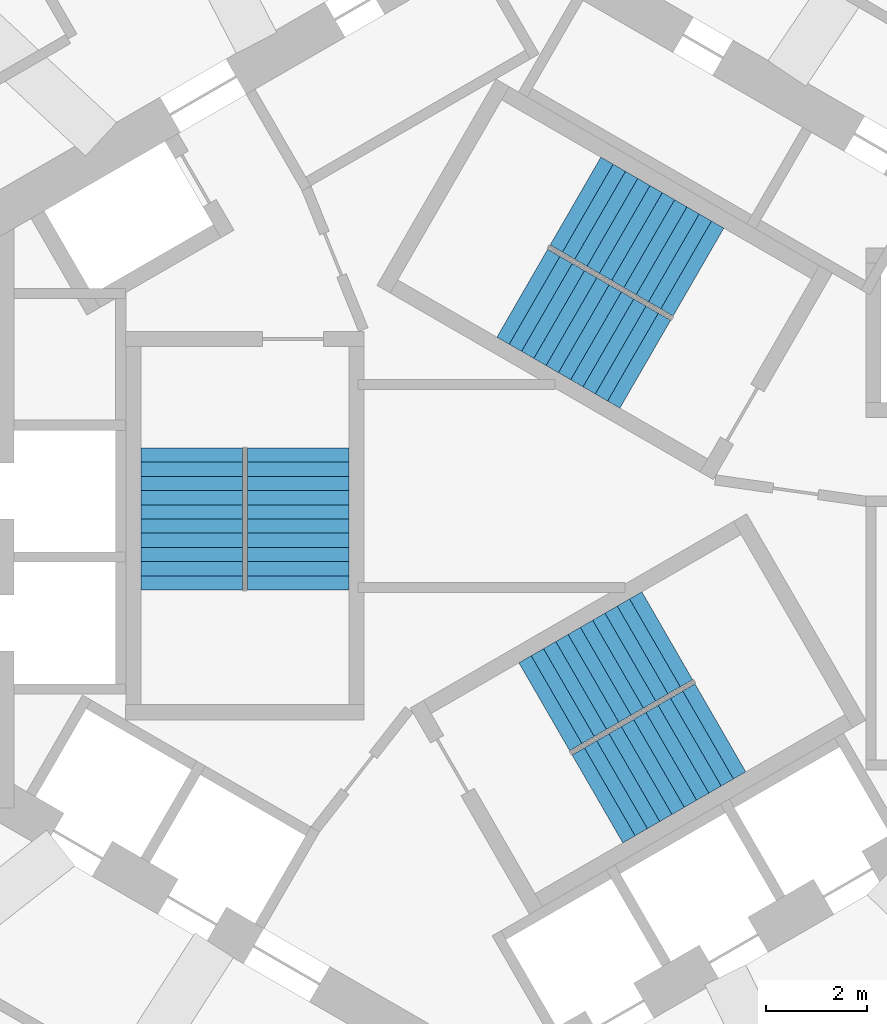
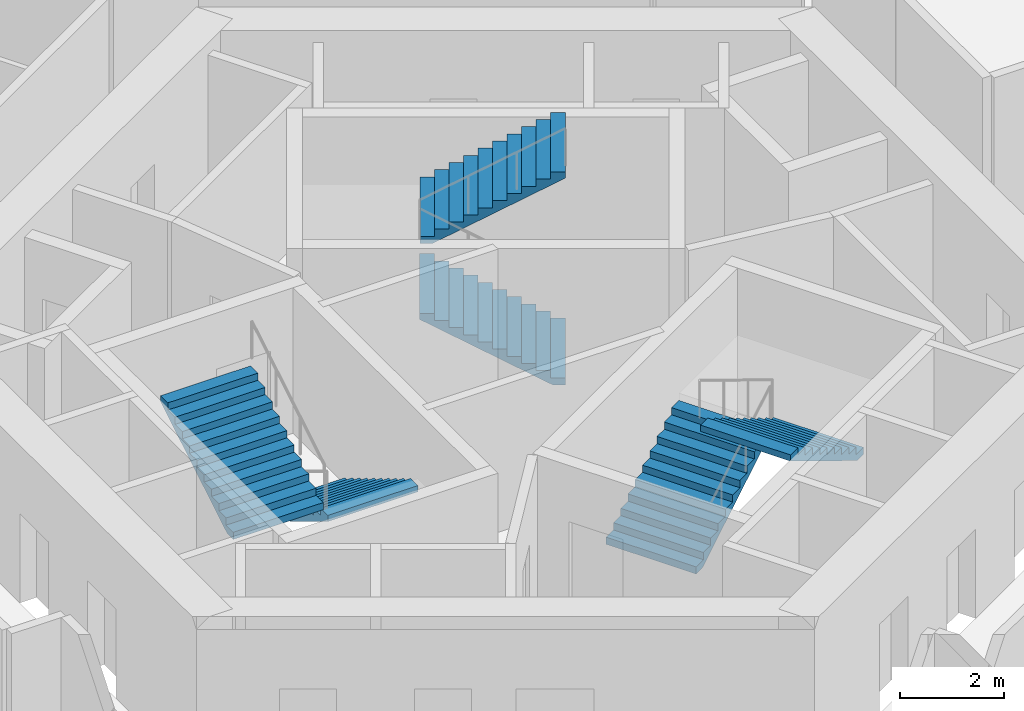
# One storey, part 9 of 11: 6 stair flights, 3 elements without a shape of their own.
"""IFC4 building model written with IfcOpenShell, lengths in metres."""

from ifc_helpers import new_model, si_unit, direction, frame, origin, place, context, subcontext, project, spatial, triangles, source, transform, mapped, material, type_object, element, aggregate, save


model = new_model("IFC4")

# Units and contexts
model_context = context("Model", 3, precision=1e-05, world=origin(), true_north=direction((0.0, 1.0)))
body_context = subcontext(model_context, "Body", "Model", "MODEL_VIEW")
ifc_project = project(units=[si_unit("LENGTHUNIT", "METRE"), si_unit("AREAUNIT", "SQUARE_METRE"), si_unit("VOLUMEUNIT", "CUBIC_METRE"), si_unit("PLANEANGLEUNIT", "RADIAN"), si_unit("MASSUNIT", "GRAM", prefix="KILO")], contexts=[model_context])

# Site, building, storey
site_placement = place(None, origin())
site = spatial("IfcSite", under=ifc_project, at=site_placement, CompositionType="ELEMENT")
building_placement = place(site_placement, origin())
building = spatial("IfcBuilding", under=site, at=building_placement, Name="Vanh Sen Convention Tower", CompositionType="ELEMENT")
storey_placement = place(building_placement, frame((0.0, 0.0, 236.5)))
storey = spatial("IfcBuildingStorey", under=building, at=storey_placement, Name="L58", CompositionType="ELEMENT", Elevation=236.5)

# Stair, stair flights
ifc_material_1 = material(Name="Concrete C50/60", Category="concrete")
stair_type_1 = type_object("IfcStairType", Name="Exit stair ST1 22 risers at 168.2", PredefinedType="HALF_TURN_STAIR", material=ifc_material_1)
stair_1_placement = place(storey_placement, origin())
stair_1 = element("IfcStair", 1, at=stair_1_placement, inside=storey, type_object=stair_type_1, Name="Exit stair ST1 L58", PredefinedType="HALF_TURN_STAIR")
ifc_material_2 = material(Name="Concrete C40/50", Category="concrete")
stair_flight_type = type_object("IfcStairFlightType", Name="Stair flight 2000", PredefinedType="STRAIGHT", material=ifc_material_2)
shared_shape = source(origin(), body_context, "Body", "Tessellation", [
    triangles([(0.24267578125, 1.0, 0.0), (0.0, 1.0, 0.0), (0.0, 1.0, 0.168212890625), (0.280029296875, 1.0, 0.168212890625), (0.280029296875, 1.0, 0.33642578125), (0.56005859375, 1.0, 0.33642578125), (0.56005859375, 1.0, 0.504638671875), (0.840087890625, 1.0, 0.504638671875), (0.840087890625, 1.0, 0.672607421875), (1.1201171875, 1.0, 0.672607421875), (1.1201171875, 1.0, 0.8408203125), (1.39990234375, 1.0, 0.8408203125), (1.39990234375, 1.0, 1.009033203125), (1.679931640625, 1.0, 1.009033203125), (1.679931640625, 1.0, 1.17724609375), (1.9599609375, 1.0, 1.17724609375), (1.9599609375, 1.0, 1.345458984375), (2.239990234375, 1.0, 1.345458984375), (2.239990234375, 1.0, 1.513671875), (2.52001953125, 1.0, 1.513671875), (2.52001953125, 1.0, 1.681884765625), (2.800048828125, 1.0, 1.681884765625), (2.800048828125, 1.0, 1.535888671875), (0.24267578125, -1.0, 0.0), (0.0, -1.0, 0.0), (0.0, -1.0, 0.168212890625), (0.280029296875, -1.0, 0.168212890625), (0.280029296875, -1.0, 0.33642578125), (0.56005859375, -1.0, 0.33642578125), (0.56005859375, -1.0, 0.504638671875), (0.840087890625, -1.0, 0.504638671875), (0.840087890625, -1.0, 0.672607421875), (1.1201171875, -1.0, 0.672607421875), (1.1201171875, -1.0, 0.8408203125), (1.39990234375, -1.0, 0.8408203125), (1.39990234375, -1.0, 1.009033203125), (1.679931640625, -1.0, 1.009033203125), (1.679931640625, -1.0, 1.17724609375), (1.9599609375, -1.0, 1.17724609375), (1.9599609375, -1.0, 1.345458984375), (2.239990234375, -1.0, 1.345458984375), (2.239990234375, -1.0, 1.513671875), (2.52001953125, -1.0, 1.513671875), (2.52001953125, -1.0, 1.681884765625), (2.800048828125, -1.0, 1.681884765625), (2.800048828125, -1.0, 1.535888671875), (0.0, 0.0400390625, 0.0), (0.0, 0.0390625, 0.0), (0.0, 0.0380859375, 0.0), (0.0, 0.037109375, 0.0), (0.0, 0.035888671875, 0.0), (0.0, 0.034912109375, 0.0), (0.0, 0.033935546875, 0.0), (0.0, 0.032958984375, 0.0), (0.0, 0.031982421875, 0.0), (0.0, 0.031005859375, 0.0), (0.0, 0.030029296875, 0.0), (0.0, 0.029052734375, 0.0), (0.0, 0.028076171875, 0.0), (0.0, 0.027099609375, 0.0), (0.0, 0.02587890625, 0.0), (0.0, 0.02490234375, 0.0), (0.0, 0.02392578125, 0.0), (0.0, 0.02294921875, 0.0), (0.0, 0.02197265625, 0.0), (0.0, 0.02099609375, 0.0), (0.0, 0.02001953125, 0.0), (0.0, 0.01904296875, 0.0), (0.0, 0.01806640625, 0.0), (0.0, 0.01708984375, 0.0), (0.0, 0.01611328125, 0.0), (0.0, 0.014892578125, 0.0), (0.0, 0.013916015625, 0.0), (0.0, 0.012939453125, 0.0), (0.0, 0.011962890625, 0.0), (0.0, 0.010986328125, 0.0), (0.0, 0.010009765625, 0.0), (0.0, 0.009033203125, 0.0), (0.0, 0.008056640625, 0.0), (0.0, 0.007080078125, 0.0), (0.0, 0.006103515625, 0.0), (0.0, 0.0048828125, 0.0), (0.0, 0.00390625, 0.0), (0.0, 0.0029296875, 0.0), (0.0, 0.001953125, 0.0), (0.0, 0.0009765625, 0.0), (0.0, 0.0, 0.0), (0.0, -0.0009765625, 0.0), (0.0, -0.001953125, 0.0), (0.0, -0.0029296875, 0.0), (0.0, -0.00390625, 0.0), (0.0, -0.0048828125, 0.0), (0.0, -0.006103515625, 0.0), (0.0, -0.007080078125, 0.0), (0.0, -0.008056640625, 0.0), (0.0, -0.009033203125, 0.0), (0.0, -0.010009765625, 0.0), (0.0, -0.010986328125, 0.0), (0.0, -0.011962890625, 0.0), (0.0, -0.012939453125, 0.0), (0.0, -0.013916015625, 0.0), (0.0, -0.014892578125, 0.0), (0.0, -0.01611328125, 0.0), (0.0, -0.01708984375, 0.0), (0.0, -0.01806640625, 0.0), (0.0, -0.01904296875, 0.0), (0.0, -0.02001953125, 0.0), (0.0, -0.02099609375, 0.0), (0.0, -0.02197265625, 0.0), (0.0, -0.02294921875, 0.0), (0.0, -0.02392578125, 0.0), (0.0, -0.02490234375, 0.0), (0.0, -0.02587890625, 0.0), (0.0, -0.027099609375, 0.0), (0.0, -0.028076171875, 0.0), (0.0, -0.029052734375, 0.0), (0.0, -0.030029296875, 0.0), (0.0, -0.031005859375, 0.0), (0.0, -0.031982421875, 0.0), (0.0, -0.032958984375, 0.0), (0.0, -0.033935546875, 0.0), (0.0, -0.034912109375, 0.0), (0.0, -0.035888671875, 0.0), (0.0, -0.037109375, 0.0), (0.0, -0.0380859375, 0.0), (0.0, -0.0390625, 0.0), (0.0, -0.0400390625, 0.0), (0.0, 0.0400390625, 0.168212890625), (0.0, 0.0390625, 0.168212890625), (0.0, 0.0380859375, 0.168212890625), (0.0, 0.037109375, 0.168212890625), (0.0, 0.035888671875, 0.168212890625), (0.0, 0.034912109375, 0.168212890625), (0.0, 0.033935546875, 0.168212890625), (0.0, 0.032958984375, 0.168212890625), (0.0, 0.031982421875, 0.168212890625), (0.0, 0.031005859375, 0.168212890625), (0.0, 0.030029296875, 0.168212890625), (0.0, 0.029052734375, 0.168212890625), (0.0, 0.028076171875, 0.168212890625), (0.0, 0.027099609375, 0.168212890625), (0.0, 0.02587890625, 0.168212890625), (0.0, 0.02490234375, 0.168212890625), (0.0, 0.02392578125, 0.168212890625), (0.0, 0.02294921875, 0.168212890625), (0.0, 0.02197265625, 0.168212890625), (0.0, 0.02099609375, 0.168212890625), (0.0, 0.02001953125, 0.168212890625), (0.0, 0.01904296875, 0.168212890625), (0.0, 0.01806640625, 0.168212890625), (0.0, 0.01708984375, 0.168212890625), (0.0, 0.01611328125, 0.168212890625), (0.0, 0.014892578125, 0.168212890625), (0.0, 0.013916015625, 0.168212890625), (0.0, 0.012939453125, 0.168212890625), (0.0, 0.011962890625, 0.168212890625), (0.0, 0.010986328125, 0.168212890625), (0.0, 0.010009765625, 0.168212890625), (0.0, 0.009033203125, 0.168212890625), (0.0, 0.008056640625, 0.168212890625), (0.0, 0.007080078125, 0.168212890625), (0.0, 0.006103515625, 0.168212890625), (0.0, 0.0048828125, 0.168212890625), (0.0, 0.00390625, 0.168212890625), (0.0, 0.0029296875, 0.168212890625), (0.0, 0.001953125, 0.168212890625), (0.0, 0.0009765625, 0.168212890625), (0.0, 0.0, 0.168212890625), (0.0, -0.0009765625, 0.168212890625), (0.0, -0.001953125, 0.168212890625), (0.0, -0.0029296875, 0.168212890625), (0.0, -0.00390625, 0.168212890625), (0.0, -0.0048828125, 0.168212890625), (0.0, -0.006103515625, 0.168212890625), (0.0, -0.007080078125, 0.168212890625), (0.0, -0.008056640625, 0.168212890625), (0.0, -0.009033203125, 0.168212890625), (0.0, -0.010009765625, 0.168212890625), (0.0, -0.010986328125, 0.168212890625), (0.0, -0.011962890625, 0.168212890625), (0.0, -0.012939453125, 0.168212890625), (0.0, -0.013916015625, 0.168212890625), (0.0, -0.014892578125, 0.168212890625), (0.0, -0.01611328125, 0.168212890625), (0.0, -0.01708984375, 0.168212890625), (0.0, -0.01806640625, 0.168212890625), (0.0, -0.01904296875, 0.168212890625), (0.0, -0.02001953125, 0.168212890625), (0.0, -0.02099609375, 0.168212890625), (0.0, -0.02197265625, 0.168212890625), (0.0, -0.02294921875, 0.168212890625), (0.0, -0.02392578125, 0.168212890625), (0.0, -0.02490234375, 0.168212890625), (0.0, -0.02587890625, 0.168212890625), (0.0, -0.027099609375, 0.168212890625), (0.0, -0.028076171875, 0.168212890625), (0.0, -0.029052734375, 0.168212890625), (0.0, -0.030029296875, 0.168212890625), (0.0, -0.031005859375, 0.168212890625), (0.0, -0.031982421875, 0.168212890625), (0.0, -0.032958984375, 0.168212890625), (0.0, -0.033935546875, 0.168212890625), (0.0, -0.034912109375, 0.168212890625), (0.0, -0.035888671875, 0.168212890625), (0.0, -0.037109375, 0.168212890625), (0.0, -0.0380859375, 0.168212890625), (0.0, -0.0390625, 0.168212890625), (0.0, -0.0400390625, 0.168212890625), (0.280029296875, 0.0, 0.168212890625), (0.280029296875, 0.0, 0.33642578125), (0.56005859375, 0.0, 0.33642578125), (0.56005859375, 0.0, 0.504638671875), (0.840087890625, 0.0, 0.504638671875), (0.840087890625, 0.0, 0.672607421875), (1.1201171875, 0.0, 0.672607421875), (1.1201171875, 0.0, 0.8408203125), (1.39990234375, 0.0, 0.8408203125), (1.39990234375, 0.0, 1.009033203125), (1.679931640625, 0.0, 1.009033203125), (1.679931640625, 0.0, 1.17724609375), (1.9599609375, 0.0, 1.17724609375), (1.9599609375, 0.0, 1.345458984375), (2.239990234375, 0.0, 1.345458984375), (2.239990234375, 0.0, 1.513671875), (2.52001953125, 0.0, 1.513671875), (2.52001953125, 0.0, 1.681884765625), (2.800048828125, 0.0400390625, 1.681884765625), (2.800048828125, 0.0390625, 1.681884765625), (2.800048828125, 0.0380859375, 1.681884765625), (2.800048828125, 0.037109375, 1.681884765625), (2.800048828125, 0.035888671875, 1.681884765625), (2.800048828125, 0.034912109375, 1.681884765625), (2.800048828125, 0.033935546875, 1.681884765625), (2.800048828125, 0.032958984375, 1.681884765625), (2.800048828125, 0.031982421875, 1.681884765625), (2.800048828125, 0.031005859375, 1.681884765625), (2.800048828125, 0.030029296875, 1.681884765625), (2.800048828125, 0.029052734375, 1.681884765625), (2.800048828125, 0.028076171875, 1.681884765625), (2.800048828125, 0.027099609375, 1.681884765625), (2.800048828125, 0.02587890625, 1.681884765625), (2.800048828125, 0.02490234375, 1.681884765625), (2.800048828125, 0.02392578125, 1.681884765625), (2.800048828125, 0.02294921875, 1.681884765625), (2.800048828125, 0.02197265625, 1.681884765625), (2.800048828125, 0.02099609375, 1.681884765625), (2.800048828125, 0.02001953125, 1.681884765625), (2.800048828125, 0.01904296875, 1.681884765625), (2.800048828125, 0.01806640625, 1.681884765625), (2.800048828125, 0.01708984375, 1.681884765625), (2.800048828125, 0.01611328125, 1.681884765625), (2.800048828125, 0.014892578125, 1.681884765625), (2.800048828125, 0.013916015625, 1.681884765625), (2.800048828125, 0.012939453125, 1.681884765625), (2.800048828125, 0.011962890625, 1.681884765625), (2.800048828125, 0.010986328125, 1.681884765625), (2.800048828125, 0.010009765625, 1.681884765625), (2.800048828125, 0.009033203125, 1.681884765625), (2.800048828125, 0.008056640625, 1.681884765625), (2.800048828125, 0.007080078125, 1.681884765625), (2.800048828125, 0.006103515625, 1.681884765625), (2.800048828125, 0.0048828125, 1.681884765625), (2.800048828125, 0.00390625, 1.681884765625), (2.800048828125, 0.0029296875, 1.681884765625), (2.800048828125, 0.001953125, 1.681884765625), (2.800048828125, 0.0009765625, 1.681884765625), (2.800048828125, 0.0, 1.681884765625), (2.800048828125, -0.0009765625, 1.681884765625), (2.800048828125, -0.001953125, 1.681884765625), (2.800048828125, -0.0029296875, 1.681884765625), (2.800048828125, -0.00390625, 1.681884765625), (2.800048828125, -0.0048828125, 1.681884765625), (2.800048828125, -0.006103515625, 1.681884765625), (2.800048828125, -0.007080078125, 1.681884765625), (2.800048828125, -0.008056640625, 1.681884765625), (2.800048828125, -0.009033203125, 1.681884765625), (2.800048828125, -0.010009765625, 1.681884765625), (2.800048828125, -0.010986328125, 1.681884765625), (2.800048828125, -0.011962890625, 1.681884765625), (2.800048828125, -0.012939453125, 1.681884765625), (2.800048828125, -0.013916015625, 1.681884765625), (2.800048828125, -0.014892578125, 1.681884765625), (2.800048828125, -0.01611328125, 1.681884765625), (2.800048828125, -0.01708984375, 1.681884765625), (2.800048828125, -0.01806640625, 1.681884765625), (2.800048828125, -0.01904296875, 1.681884765625), (2.800048828125, -0.02001953125, 1.681884765625), (2.800048828125, -0.02099609375, 1.681884765625), (2.800048828125, -0.02197265625, 1.681884765625), (2.800048828125, -0.02294921875, 1.681884765625), (2.800048828125, -0.02392578125, 1.681884765625), (2.800048828125, -0.02490234375, 1.681884765625), (2.800048828125, -0.02587890625, 1.681884765625), (2.800048828125, -0.027099609375, 1.681884765625), (2.800048828125, -0.028076171875, 1.681884765625), (2.800048828125, -0.029052734375, 1.681884765625), (2.800048828125, -0.030029296875, 1.681884765625), (2.800048828125, -0.031005859375, 1.681884765625), (2.800048828125, -0.031982421875, 1.681884765625), (2.800048828125, -0.032958984375, 1.681884765625), (2.800048828125, -0.033935546875, 1.681884765625), (2.800048828125, -0.034912109375, 1.681884765625), (2.800048828125, -0.035888671875, 1.681884765625), (2.800048828125, -0.037109375, 1.681884765625), (2.800048828125, -0.0380859375, 1.681884765625), (2.800048828125, -0.0390625, 1.681884765625), (2.800048828125, -0.0400390625, 1.681884765625), (2.800048828125, 0.0400390625, 1.535888671875), (2.800048828125, 0.0390625, 1.535888671875), (2.800048828125, 0.0380859375, 1.535888671875), (2.800048828125, 0.037109375, 1.535888671875), (2.800048828125, 0.035888671875, 1.535888671875), (2.800048828125, 0.034912109375, 1.535888671875), (2.800048828125, 0.033935546875, 1.535888671875), (2.800048828125, 0.032958984375, 1.535888671875), (2.800048828125, 0.031982421875, 1.535888671875), (2.800048828125, 0.031005859375, 1.535888671875), (2.800048828125, 0.030029296875, 1.535888671875), (2.800048828125, 0.029052734375, 1.535888671875), (2.800048828125, 0.028076171875, 1.535888671875), (2.800048828125, 0.027099609375, 1.535888671875), (2.800048828125, 0.02587890625, 1.535888671875), (2.800048828125, 0.02490234375, 1.535888671875), (2.800048828125, 0.02392578125, 1.535888671875), (2.800048828125, 0.02294921875, 1.535888671875), (2.800048828125, 0.02197265625, 1.535888671875), (2.800048828125, 0.02099609375, 1.535888671875), (2.800048828125, 0.02001953125, 1.535888671875), (2.800048828125, 0.01904296875, 1.535888671875), (2.800048828125, 0.01806640625, 1.535888671875), (2.800048828125, 0.01708984375, 1.535888671875), (2.800048828125, 0.01611328125, 1.535888671875), (2.800048828125, 0.014892578125, 1.535888671875), (2.800048828125, 0.013916015625, 1.535888671875), (2.800048828125, 0.012939453125, 1.535888671875), (2.800048828125, 0.011962890625, 1.535888671875), (2.800048828125, 0.010986328125, 1.535888671875), (2.800048828125, 0.010009765625, 1.535888671875), (2.800048828125, 0.009033203125, 1.535888671875), (2.800048828125, 0.008056640625, 1.535888671875), (2.800048828125, 0.007080078125, 1.535888671875), (2.800048828125, 0.006103515625, 1.535888671875), (2.800048828125, 0.0048828125, 1.535888671875), (2.800048828125, 0.00390625, 1.535888671875), (2.800048828125, 0.0029296875, 1.535888671875), (2.800048828125, 0.001953125, 1.535888671875), (2.800048828125, 0.0009765625, 1.535888671875), (2.800048828125, 0.0, 1.535888671875), (2.800048828125, -0.0009765625, 1.535888671875), (2.800048828125, -0.001953125, 1.535888671875), (2.800048828125, -0.0029296875, 1.535888671875), (2.800048828125, -0.00390625, 1.535888671875), (2.800048828125, -0.0048828125, 1.535888671875), (2.800048828125, -0.006103515625, 1.535888671875), (2.800048828125, -0.007080078125, 1.535888671875), (2.800048828125, -0.008056640625, 1.535888671875), (2.800048828125, -0.009033203125, 1.535888671875), (2.800048828125, -0.010009765625, 1.535888671875), (2.800048828125, -0.010986328125, 1.535888671875), (2.800048828125, -0.011962890625, 1.535888671875), (2.800048828125, -0.012939453125, 1.535888671875), (2.800048828125, -0.013916015625, 1.535888671875), (2.800048828125, -0.014892578125, 1.535888671875), (2.800048828125, -0.01611328125, 1.535888671875), (2.800048828125, -0.01708984375, 1.535888671875), (2.800048828125, -0.01806640625, 1.535888671875), (2.800048828125, -0.01904296875, 1.535888671875), (2.800048828125, -0.02001953125, 1.535888671875), (2.800048828125, -0.02099609375, 1.535888671875), (2.800048828125, -0.02197265625, 1.535888671875), (2.800048828125, -0.02294921875, 1.535888671875), (2.800048828125, -0.02392578125, 1.535888671875), (2.800048828125, -0.02490234375, 1.535888671875), (2.800048828125, -0.02587890625, 1.535888671875), (2.800048828125, -0.027099609375, 1.535888671875), (2.800048828125, -0.028076171875, 1.535888671875), (2.800048828125, -0.029052734375, 1.535888671875), (2.800048828125, -0.030029296875, 1.535888671875), (2.800048828125, -0.031005859375, 1.535888671875), (2.800048828125, -0.031982421875, 1.535888671875), (2.800048828125, -0.032958984375, 1.535888671875), (2.800048828125, -0.033935546875, 1.535888671875), (2.800048828125, -0.034912109375, 1.535888671875), (2.800048828125, -0.035888671875, 1.535888671875), (2.800048828125, -0.037109375, 1.535888671875), (2.800048828125, -0.0380859375, 1.535888671875), (2.800048828125, -0.0390625, 1.535888671875), (2.800048828125, -0.0400390625, 1.535888671875), (0.24267578125, 0.0, 0.0)], [[1, 2, 3], [1, 3, 4], [4, 5, 6], [1, 4, 6], [6, 7, 8], [1, 6, 8], [8, 9, 10], [1, 8, 10], [10, 11, 12], [1, 10, 12], [12, 13, 14], [1, 12, 14], [14, 15, 16], [1, 14, 16], [16, 17, 18], [1, 16, 18], [18, 19, 20], [1, 18, 20], [20, 21, 22], [1, 20, 22], [22, 23, 1], [24, 26, 25], [24, 27, 26], [27, 29, 28], [24, 29, 27], [29, 31, 30], [24, 31, 29], [31, 33, 32], [24, 33, 31], [33, 35, 34], [24, 35, 33], [35, 37, 36], [24, 37, 35], [37, 39, 38], [24, 39, 37], [39, 41, 40], [24, 41, 39], [41, 43, 42], [24, 43, 41], [43, 45, 44], [24, 45, 43], [45, 24, 46], [2, 128, 3], [2, 47, 128], [47, 129, 128], [47, 48, 129], [48, 130, 129], [48, 49, 130], [49, 131, 130], [49, 50, 131], [50, 132, 131], [50, 51, 132], [51, 133, 132], [51, 52, 133], [52, 134, 133], [52, 53, 134], [53, 135, 134], [53, 54, 135], [54, 136, 135], [54, 55, 136], [55, 137, 136], [55, 56, 137], [56, 138, 137], [56, 57, 138], [57, 139, 138], [57, 58, 139], [58, 140, 139], [58, 59, 140], [59, 141, 140], [59, 60, 141], [60, 142, 141], [60, 61, 142], [61, 143, 142], [61, 62, 143], [62, 144, 143], [62, 63, 144], [63, 145, 144], [63, 64, 145], [64, 146, 145], [64, 65, 146], [65, 147, 146], [65, 66, 147], [66, 148, 147], [66, 67, 148], [67, 149, 148], [67, 68, 149], [68, 150, 149], [68, 69, 150], [69, 151, 150], [69, 70, 151], [70, 152, 151], [70, 71, 152], [71, 153, 152], [71, 72, 153], [72, 154, 153], [72, 73, 154], [73, 155, 154], [73, 74, 155], [74, 156, 155], [74, 75, 156], [75, 157, 156], [75, 76, 157], [76, 158, 157], [76, 77, 158], [77, 159, 158], [77, 78, 159], [78, 160, 159], [78, 79, 160], [79, 161, 160], [79, 80, 161], [80, 162, 161], [80, 81, 162], [81, 163, 162], [81, 82, 163], [82, 164, 163], [82, 83, 164], [83, 165, 164], [83, 84, 165], [84, 166, 165], [84, 85, 166], [85, 167, 166], [85, 86, 167], [86, 168, 167], [86, 87, 168], [87, 88, 168], [168, 88, 169], [88, 89, 169], [169, 89, 170], [89, 90, 170], [170, 90, 171], [90, 91, 171], [171, 91, 172], [91, 92, 172], [172, 92, 173], [92, 93, 173], [173, 93, 174], [93, 94, 174], [174, 94, 175], [94, 95, 175], [175, 95, 176], [95, 96, 176], [176, 96, 177], [96, 97, 177], [177, 97, 178], [97, 98, 178], [178, 98, 179], [98, 99, 179], [179, 99, 180], [99, 100, 180], [180, 100, 181], [100, 101, 181], [181, 101, 182], [101, 102, 182], [182, 102, 183], [102, 103, 183], [183, 103, 184], [103, 104, 184], [184, 104, 185], [104, 105, 185], [185, 105, 186], [105, 106, 186], [186, 106, 187], [106, 107, 187], [187, 107, 188], [107, 108, 188], [188, 108, 189], [108, 109, 189], [189, 109, 190], [109, 110, 190], [190, 110, 191], [110, 111, 191], [191, 111, 192], [111, 112, 192], [192, 112, 193], [112, 113, 193], [193, 113, 194], [113, 114, 194], [194, 114, 195], [114, 115, 195], [195, 115, 196], [115, 116, 196], [196, 116, 197], [116, 117, 197], [197, 117, 198], [117, 118, 198], [198, 118, 199], [118, 119, 199], [199, 119, 200], [119, 120, 200], [200, 120, 201], [120, 121, 201], [201, 121, 202], [121, 122, 202], [202, 122, 203], [122, 123, 203], [203, 123, 204], [123, 124, 204], [204, 124, 205], [124, 125, 205], [205, 125, 206], [125, 126, 206], [206, 126, 207], [126, 127, 207], [207, 127, 208], [127, 25, 208], [208, 25, 26], [4, 3, 128], [4, 128, 129], [4, 129, 130], [4, 130, 131], [4, 131, 132], [4, 132, 133], [4, 133, 134], [4, 134, 135], [4, 135, 136], [4, 136, 137], [4, 137, 138], [4, 138, 139], [4, 139, 140], [4, 140, 141], [4, 141, 142], [4, 142, 143], [4, 143, 144], [4, 144, 145], [4, 145, 146], [4, 146, 147], [4, 147, 148], [4, 148, 149], [4, 149, 150], [4, 150, 151], [4, 151, 152], [4, 152, 153], [4, 153, 154], [4, 154, 155], [4, 155, 156], [4, 156, 157], [4, 157, 158], [4, 158, 159], [4, 159, 160], [4, 160, 161], [4, 161, 162], [4, 162, 163], [4, 163, 164], [4, 164, 165], [4, 165, 166], [4, 166, 167], [4, 167, 168], [27, 168, 169], [27, 169, 170], [27, 170, 171], [27, 171, 172], [27, 172, 173], [27, 173, 174], [27, 174, 175], [27, 175, 176], [27, 176, 177], [27, 177, 178], [27, 178, 179], [27, 179, 180], [27, 180, 181], [27, 181, 182], [27, 182, 183], [27, 183, 184], [27, 184, 185], [27, 185, 186], [27, 186, 187], [27, 187, 188], [27, 188, 189], [27, 189, 190], [27, 190, 191], [27, 191, 192], [27, 192, 193], [27, 193, 194], [27, 194, 195], [27, 195, 196], [27, 196, 197], [27, 197, 198], [27, 198, 199], [27, 199, 200], [27, 200, 201], [27, 201, 202], [27, 202, 203], [27, 203, 204], [27, 204, 205], [27, 205, 206], [27, 206, 207], [27, 207, 208], [27, 208, 26], [4, 168, 209], [27, 209, 168], [4, 210, 5], [4, 209, 210], [209, 27, 210], [210, 27, 28], [5, 211, 6], [5, 210, 211], [210, 28, 211], [211, 28, 29], [6, 212, 7], [6, 211, 212], [211, 29, 212], [212, 29, 30], [7, 213, 8], [7, 212, 213], [212, 30, 213], [213, 30, 31], [8, 214, 9], [8, 213, 214], [213, 31, 214], [214, 31, 32], [9, 215, 10], [9, 214, 215], [214, 32, 215], [215, 32, 33], [10, 216, 11], [10, 215, 216], [215, 33, 216], [216, 33, 34], [11, 217, 12], [11, 216, 217], [216, 34, 217], [217, 34, 35], [12, 218, 13], [12, 217, 218], [217, 35, 218], [218, 35, 36], [13, 219, 14], [13, 218, 219], [218, 36, 219], [219, 36, 37], [14, 220, 15], [14, 219, 220], [219, 37, 220], [220, 37, 38], [15, 221, 16], [15, 220, 221], [220, 38, 221], [221, 38, 39], [16, 222, 17], [16, 221, 222], [221, 39, 222], [222, 39, 40], [17, 223, 18], [17, 222, 223], [222, 40, 223], [223, 40, 41], [18, 224, 19], [18, 223, 224], [223, 41, 224], [224, 41, 42], [19, 225, 20], [19, 224, 225], [224, 42, 225], [225, 42, 43], [20, 226, 21], [20, 225, 226], [225, 43, 226], [226, 43, 44], [21, 227, 22], [21, 228, 227], [21, 229, 228], [21, 230, 229], [21, 231, 230], [21, 232, 231], [21, 233, 232], [21, 234, 233], [21, 235, 234], [21, 236, 235], [21, 237, 236], [21, 238, 237], [21, 239, 238], [21, 240, 239], [21, 241, 240], [21, 242, 241], [21, 243, 242], [21, 244, 243], [21, 245, 244], [21, 246, 245], [21, 247, 246], [21, 248, 247], [21, 249, 248], [21, 250, 249], [21, 251, 250], [21, 252, 251], [21, 253, 252], [21, 254, 253], [21, 255, 254], [21, 256, 255], [21, 257, 256], [21, 258, 257], [21, 259, 258], [21, 260, 259], [21, 261, 260], [21, 262, 261], [21, 263, 262], [21, 264, 263], [21, 265, 264], [21, 266, 265], [21, 267, 266], [44, 268, 267], [44, 269, 268], [44, 270, 269], [44, 271, 270], [44, 272, 271], [44, 273, 272], [44, 274, 273], [44, 275, 274], [44, 276, 275], [44, 277, 276], [44, 278, 277], [44, 279, 278], [44, 280, 279], [44, 281, 280], [44, 282, 281], [44, 283, 282], [44, 284, 283], [44, 285, 284], [44, 286, 285], [44, 287, 286], [44, 288, 287], [44, 289, 288], [44, 290, 289], [44, 291, 290], [44, 292, 291], [44, 293, 292], [44, 294, 293], [44, 295, 294], [44, 296, 295], [44, 297, 296], [44, 298, 297], [44, 299, 298], [44, 300, 299], [44, 301, 300], [44, 302, 301], [44, 303, 302], [44, 304, 303], [44, 305, 304], [44, 306, 305], [44, 307, 306], [44, 45, 307], [21, 226, 267], [44, 267, 226], [22, 308, 23], [22, 227, 308], [227, 309, 308], [227, 228, 309], [228, 310, 309], [228, 229, 310], [229, 311, 310], [229, 230, 311], [230, 312, 311], [230, 231, 312], [231, 313, 312], [231, 232, 313], [232, 314, 313], [232, 233, 314], [233, 315, 314], [233, 234, 315], [234, 316, 315], [234, 235, 316], [235, 317, 316], [235, 236, 317], [236, 318, 317], [236, 237, 318], [237, 319, 318], [237, 238, 319], [238, 320, 319], [238, 239, 320], [239, 321, 320], [239, 240, 321], [240, 322, 321], [240, 241, 322], [241, 323, 322], [241, 242, 323], [242, 324, 323], [242, 243, 324], [243, 325, 324], [243, 244, 325], [244, 326, 325], [244, 245, 326], [245, 327, 326], [245, 246, 327], [246, 328, 327], [246, 247, 328], [247, 329, 328], [247, 248, 329], [248, 330, 329], [248, 249, 330], [249, 331, 330], [249, 250, 331], [250, 332, 331], [250, 251, 332], [251, 333, 332], [251, 252, 333], [252, 334, 333], [252, 253, 334], [253, 335, 334], [253, 254, 335], [254, 336, 335], [254, 255, 336], [255, 337, 336], [255, 256, 337], [256, 338, 337], [256, 257, 338], [257, 339, 338], [257, 258, 339], [258, 340, 339], [258, 259, 340], [259, 341, 340], [259, 260, 341], [260, 342, 341], [260, 261, 342], [261, 343, 342], [261, 262, 343], [262, 344, 343], [262, 263, 344], [263, 345, 344], [263, 264, 345], [264, 346, 345], [264, 265, 346], [265, 347, 346], [265, 266, 347], [266, 348, 347], [266, 267, 348], [267, 268, 348], [348, 268, 349], [268, 269, 349], [349, 269, 350], [269, 270, 350], [350, 270, 351], [270, 271, 351], [351, 271, 352], [271, 272, 352], [352, 272, 353], [272, 273, 353], [353, 273, 354], [273, 274, 354], [354, 274, 355], [274, 275, 355], [355, 275, 356], [275, 276, 356], [356, 276, 357], [276, 277, 357], [357, 277, 358], [277, 278, 358], [358, 278, 359], [278, 279, 359], [359, 279, 360], [279, 280, 360], [360, 280, 361], [280, 281, 361], [361, 281, 362], [281, 282, 362], [362, 282, 363], [282, 283, 363], [363, 283, 364], [283, 284, 364], [364, 284, 365], [284, 285, 365], [365, 285, 366], [285, 286, 366], [366, 286, 367], [286, 287, 367], [367, 287, 368], [287, 288, 368], [368, 288, 369], [288, 289, 369], [369, 289, 370], [289, 290, 370], [370, 290, 371], [290, 291, 371], [371, 291, 372], [291, 292, 372], [372, 292, 373], [292, 293, 373], [373, 293, 374], [293, 294, 374], [374, 294, 375], [294, 295, 375], [375, 295, 376], [295, 296, 376], [376, 296, 377], [296, 297, 377], [377, 297, 378], [297, 298, 378], [378, 298, 379], [298, 299, 379], [379, 299, 380], [299, 300, 380], [380, 300, 381], [300, 301, 381], [381, 301, 382], [301, 302, 382], [382, 302, 383], [302, 303, 383], [383, 303, 384], [303, 304, 384], [384, 304, 385], [304, 305, 385], [385, 305, 386], [305, 306, 386], [386, 306, 387], [306, 307, 387], [387, 307, 388], [307, 45, 388], [388, 45, 46], [1, 23, 308], [1, 308, 309], [1, 309, 310], [1, 310, 311], [1, 311, 312], [1, 312, 313], [1, 313, 314], [1, 314, 315], [1, 315, 316], [1, 316, 317], [1, 317, 318], [1, 318, 319], [1, 319, 320], [1, 320, 321], [1, 321, 322], [1, 322, 323], [1, 323, 324], [1, 324, 325], [1, 325, 326], [1, 326, 327], [1, 327, 328], [1, 328, 329], [1, 329, 330], [1, 330, 331], [1, 331, 332], [1, 332, 333], [1, 333, 334], [1, 334, 335], [1, 335, 336], [1, 336, 337], [1, 337, 338], [1, 338, 339], [1, 339, 340], [1, 340, 341], [1, 341, 342], [1, 342, 343], [1, 343, 344], [1, 344, 345], [1, 345, 346], [1, 346, 347], [1, 347, 348], [24, 348, 349], [24, 349, 350], [24, 350, 351], [24, 351, 352], [24, 352, 353], [24, 353, 354], [24, 354, 355], [24, 355, 356], [24, 356, 357], [24, 357, 358], [24, 358, 359], [24, 359, 360], [24, 360, 361], [24, 361, 362], [24, 362, 363], [24, 363, 364], [24, 364, 365], [24, 365, 366], [24, 366, 367], [24, 367, 368], [24, 368, 369], [24, 369, 370], [24, 370, 371], [24, 371, 372], [24, 372, 373], [24, 373, 374], [24, 374, 375], [24, 375, 376], [24, 376, 377], [24, 377, 378], [24, 378, 379], [24, 379, 380], [24, 380, 381], [24, 381, 382], [24, 382, 383], [24, 383, 384], [24, 384, 385], [24, 385, 386], [24, 386, 387], [24, 387, 388], [24, 388, 46], [1, 348, 389], [24, 389, 348], [1, 47, 2], [1, 48, 47], [1, 49, 48], [1, 50, 49], [1, 51, 50], [1, 52, 51], [1, 53, 52], [1, 54, 53], [1, 55, 54], [1, 56, 55], [1, 57, 56], [1, 58, 57], [1, 59, 58], [1, 60, 59], [1, 61, 60], [1, 62, 61], [1, 63, 62], [1, 64, 63], [1, 65, 64], [1, 66, 65], [1, 67, 66], [1, 68, 67], [1, 69, 68], [1, 70, 69], [1, 71, 70], [1, 72, 71], [1, 73, 72], [1, 74, 73], [1, 75, 74], [1, 76, 75], [1, 77, 76], [1, 78, 77], [1, 79, 78], [1, 80, 79], [1, 81, 80], [1, 82, 81], [1, 83, 82], [1, 84, 83], [1, 85, 84], [1, 86, 85], [1, 87, 86], [24, 88, 87], [24, 89, 88], [24, 90, 89], [24, 91, 90], [24, 92, 91], [24, 93, 92], [24, 94, 93], [24, 95, 94], [24, 96, 95], [24, 97, 96], [24, 98, 97], [24, 99, 98], [24, 100, 99], [24, 101, 100], [24, 102, 101], [24, 103, 102], [24, 104, 103], [24, 105, 104], [24, 106, 105], [24, 107, 106], [24, 108, 107], [24, 109, 108], [24, 110, 109], [24, 111, 110], [24, 112, 111], [24, 113, 112], [24, 114, 113], [24, 115, 114], [24, 116, 115], [24, 117, 116], [24, 118, 117], [24, 119, 118], [24, 120, 119], [24, 121, 120], [24, 122, 121], [24, 123, 122], [24, 124, 123], [24, 125, 124], [24, 126, 125], [24, 127, 126], [24, 25, 127], [1, 389, 87], [24, 87, 389]], closed=True),
])
stair_flight_1_placement = place(storey_placement, frame((2.94580078125, 2.802490234375, 0.0), z_axis=(0.0, 0.0, 1.0), x_axis=(-0.866025403784, 0.5, 0.0)))
stair_flight_1 = element("IfcStairFlight", 2, at=stair_flight_1_placement, type_object=stair_flight_type, Name="ST1 flight 1", NumberOfRisers=11, NumberOfTreads=10, PredefinedType="STRAIGHT", RiserHeight=0.168181818, TreadLength=0.28, context=body_context, shape_type="MappedRepresentation", body=[
    mapped(shared_shape, transform((0.0, 0.0, 0.0))),
])
stair_flight_2_placement = place(storey_placement, frame((1.571044921875, 6.021240234375, 1.85009765625), z_axis=(0.0, 0.0, 1.0), x_axis=(0.866025403784, -0.5, 0.0)))
stair_flight_2 = element("IfcStairFlight", 3, at=stair_flight_2_placement, type_object=stair_flight_type, Name="ST1 flight 2", NumberOfRisers=11, NumberOfTreads=10, PredefinedType="STRAIGHT", RiserHeight=0.168181818, TreadLength=0.28, context=body_context, shape_type="MappedRepresentation", body=[
    mapped(shared_shape, transform((0.0, 0.0, 0.0))),
])
aggregate(stair_1, [stair_flight_1, stair_flight_2])

stair_type_2 = type_object("IfcStairType", Name="Exit stair ST2 22 risers at 168.2", PredefinedType="HALF_TURN_STAIR", material=ifc_material_1)
stair_2_placement = place(storey_placement, origin())
stair_2 = element("IfcStair", 4, at=stair_2_placement, inside=storey, type_object=stair_type_2, Name="Exit stair ST2 L58", PredefinedType="HALF_TURN_STAIR")
stair_flight_3_placement = place(storey_placement, frame((-3.89990234375, 1.14990234375, 0.0), z_axis=(0.0, 0.0, 1.0), x_axis=(0.0, -1.0, 0.0)))
stair_flight_3 = element("IfcStairFlight", 5, at=stair_flight_3_placement, type_object=stair_flight_type, Name="ST2 flight 1", NumberOfRisers=11, NumberOfTreads=10, PredefinedType="STRAIGHT", RiserHeight=0.168181818, TreadLength=0.28, context=body_context, shape_type="MappedRepresentation", body=[
    mapped(shared_shape, transform((0.0, 0.0, 0.0))),
])
stair_flight_4_placement = place(storey_placement, frame((-6.0, -1.64990234375, 1.85009765625), z_axis=(0.0, 0.0, 1.0), x_axis=(0.0, 1.0, 0.0)))
stair_flight_4 = element("IfcStairFlight", 6, at=stair_flight_4_placement, type_object=stair_flight_type, Name="ST2 flight 2", NumberOfRisers=11, NumberOfTreads=10, PredefinedType="STRAIGHT", RiserHeight=0.168181818, TreadLength=0.28, context=body_context, shape_type="MappedRepresentation", body=[
    mapped(shared_shape, transform((0.0, 0.0, 0.0))),
])
aggregate(stair_2, [stair_flight_3, stair_flight_4])

stair_type_3 = type_object("IfcStairType", Name="Exit stair ST3 22 risers at 168.2", PredefinedType="HALF_TURN_STAIR", material=ifc_material_1)
stair_3_placement = place(storey_placement, origin())
stair_3 = element("IfcStair", 7, at=stair_3_placement, inside=storey, type_object=stair_type_3, Name="Exit stair ST3 L58", PredefinedType="HALF_TURN_STAIR")
stair_flight_5_placement = place(storey_placement, frame((0.9541015625, -3.952392578125, 0.0), z_axis=(0.0, 0.0, 1.0), x_axis=(0.866025403784, 0.5, 0.0)))
stair_flight_5 = element("IfcStairFlight", 8, at=stair_flight_5_placement, type_object=stair_flight_type, Name="ST3 flight 1", NumberOfRisers=11, NumberOfTreads=10, PredefinedType="STRAIGHT", RiserHeight=0.168181818, TreadLength=0.28, context=body_context, shape_type="MappedRepresentation", body=[
    mapped(shared_shape, transform((0.0, 0.0, 0.0))),
])
stair_flight_6_placement = place(storey_placement, frame((4.428955078125, -4.37109375, 1.85009765625), z_axis=(0.0, 0.0, 1.0), x_axis=(-0.866025403784, -0.5, 0.0)))
stair_flight_6 = element("IfcStairFlight", 9, at=stair_flight_6_placement, type_object=stair_flight_type, Name="ST3 flight 2", NumberOfRisers=11, NumberOfTreads=10, PredefinedType="STRAIGHT", RiserHeight=0.168181818, TreadLength=0.28, context=body_context, shape_type="MappedRepresentation", body=[
    mapped(shared_shape, transform((0.0, 0.0, 0.0))),
])
aggregate(stair_3, [stair_flight_5, stair_flight_6])

save(model, "model.ifc")
